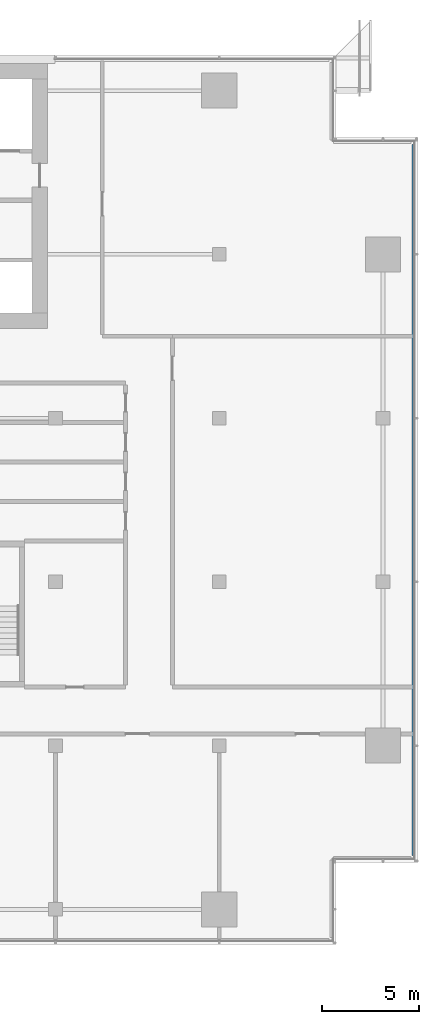
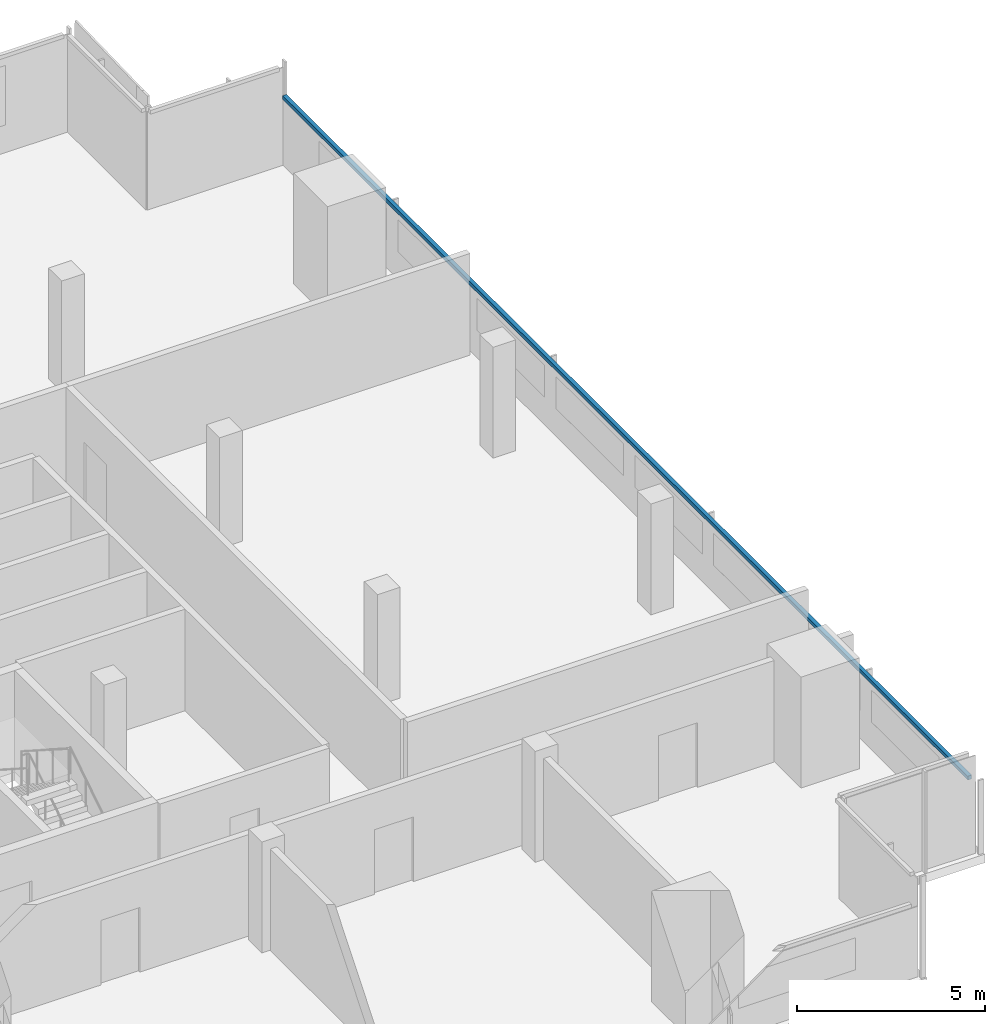
# One storey, part 13 of 24: 1 member, 1 element without a shape of its own.
"""IFC4 building model written with IfcOpenShell, lengths in metres."""

from ifc_helpers import new_model, si_unit, direction, frame, origin, origin_2d, place, context, subcontext, project, spatial, rectangle, extrude, material, material_profile, profile_set, type_object, element, aggregate, save


model = new_model("IFC4")

# Units and contexts
model_context = context("Model", 3, precision=1e-05, world=origin(), true_north=direction((0.0, 1.0)))
body_context = subcontext(model_context, "Body", "Model", "MODEL_VIEW")
ifc_project = project(units=[si_unit("LENGTHUNIT", "METRE"), si_unit("AREAUNIT", "SQUARE_METRE"), si_unit("VOLUMEUNIT", "CUBIC_METRE"), si_unit("PLANEANGLEUNIT", "RADIAN"), si_unit("MASSUNIT", "GRAM", prefix="KILO")], contexts=[model_context])

# Site, building, storey
site_placement = place(None, origin())
site = spatial("IfcSite", under=ifc_project, at=site_placement, CompositionType="ELEMENT")
building_placement = place(site_placement, origin())
building = spatial("IfcBuilding", under=site, at=building_placement, Name="Saffron Gate Tower", CompositionType="ELEMENT")
storey_placement = place(building_placement, frame((0.0, 0.0, 190.64990234375)))
storey = spatial("IfcBuildingStorey", under=building, at=storey_placement, Name="L47", CompositionType="ELEMENT", Elevation=190.64990234375)

# Curtain wall, member
ifc_material = material(Name="Aluminium, bronze anodised", Category="aluminium")
curtain_wall_type = type_object("IfcCurtainWallType", Name="CWS2 curtain wall side facades", PredefinedType="NOTDEFINED", material=ifc_material)
curtain_wall_placement = place(storey_placement, origin())
curtain_wall = element("IfcCurtainWall", 1, at=curtain_wall_placement, inside=storey, type_object=curtain_wall_type, Name="CWS2 run 4", PredefinedType="NOTDEFINED")
ifc_material_profile = material_profile(ifc_material, rectangle(XDim=0.1201171875, YDim=0.1201171875, at=origin_2d()))
ifc_profile_set = profile_set([ifc_material_profile], Name="Aluminium, bronze anodised")
member_type = type_object("IfcMemberType", Name="CWS2 head transom", PredefinedType="USERDEFINED", material=ifc_profile_set)
member_placement = place(storey_placement, frame((126.951904296875, 34.568115234375, 2.35009765625), z_axis=(0.0, 1.0, 0.0), x_axis=(-1.0, 0.0, 0.0)))
member = element("IfcMember", 2, at=member_placement, type_object=member_type, Name="CWS2 head transom", ObjectType="TRANSOM", PredefinedType="USERDEFINED", context=body_context, shape_type="SweptSolid", body=[
    extrude(rectangle(XDim=0.1201171875, YDim=0.1201171875, at=origin_2d()), origin(), (0.0, 0.0, 1.0), 36.4638671875),
])
aggregate(curtain_wall, [member])

save(model, "model.ifc")
